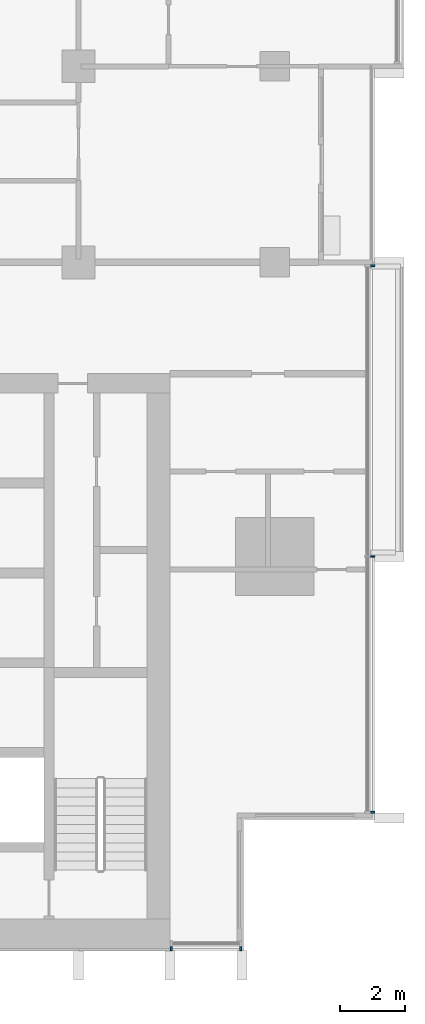
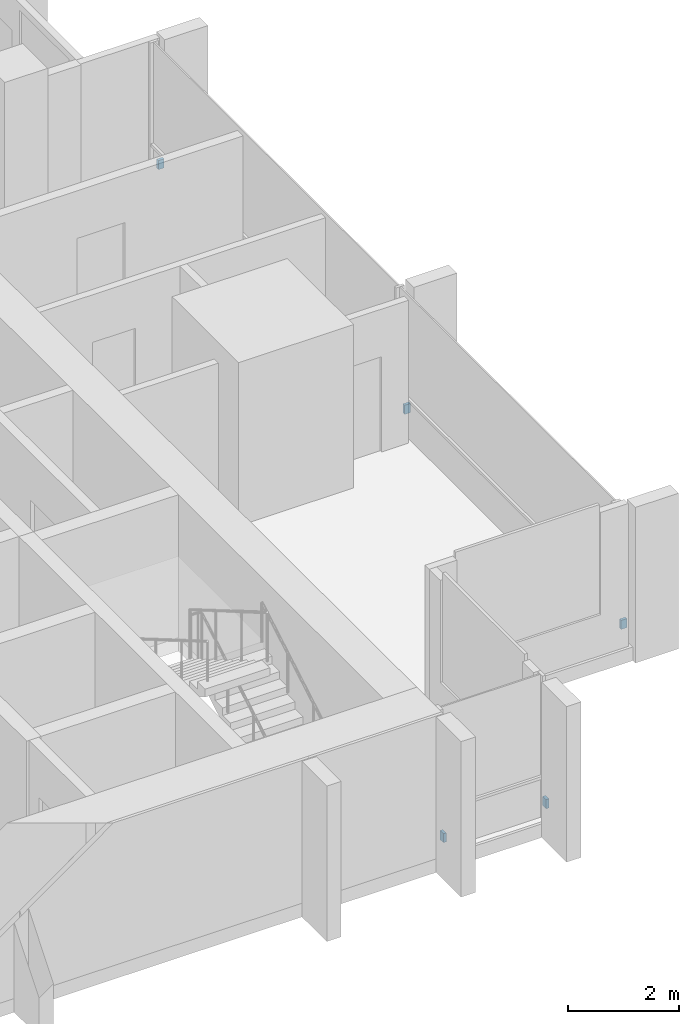
# One storey, part 14 of 17: 5 discrete accessories.
"""IFC4 building model written with IfcOpenShell, lengths in metres."""

import ifcopenshell
import ifcopenshell.guid

model = None  # the IFC model being written
_history = None  # IfcOwnerHistory: only IFC2X3 demands one
_inside = {}  # id of a spatial element -> (the spatial element, [elements in it])
_under = {}  # id of a project, library or spatial element -> (it, [spatial elements below it])
_declared = {}  # id of a project -> (the project, [libraries it declares])
_typed = {}  # id of a type object -> (the type object, [elements of that type])
_made_of = {}  # id of a material, layer set ... -> (it, [elements and type objects made of it])


def new_model(schema):
    """Start an empty IFC model of exactly this schema.

    Asked for "IFC4X3", IfcOpenShell would pick the latest addendum, in which some entities
    have other attributes; the version numbers below select the first issue.
    IFC2X3 requires an IfcOwnerHistory on every rooted entity: one is made here for all.
    """
    global model, _history
    if schema == "IFC4X3":
        model = ifcopenshell.file(schema_version=(4, 3, 0, 0))
    else:
        model = ifcopenshell.file(schema=schema)
    _inside.clear()
    _under.clear()
    _declared.clear()
    _typed.clear()
    _made_of.clear()
    _history = None
    if model.schema == "IFC2X3":
        org = make("IfcOrganization", Name="unknown")
        user = make(
            "IfcPersonAndOrganization",
            ThePerson=make("IfcPerson", FamilyName="unknown"),
            TheOrganization=org,
        )
        app = make(
            "IfcApplication",
            ApplicationDeveloper=org,
            Version="unknown",
            ApplicationFullName="unknown",
            ApplicationIdentifier="unknown",
        )
        _history = make(
            "IfcOwnerHistory",
            OwningUser=user,
            OwningApplication=app,
            ChangeAction="ADDED",
            CreationDate=0,
        )
    return model


def make(cls, **values):
    """One entity of the class cls with the attributes given. An attribute that is None is left unset."""
    return model.create_entity(
        cls, **{name: value for name, value in values.items() if value is not None}
    )


def rooted(cls, **values):
    """An entity with a GlobalId (a new one), such as an element, a storey or a relation."""
    return make(cls, GlobalId=ifcopenshell.guid.new(), OwnerHistory=_history, **values)


def si_unit(unit_type, name, prefix=None):
    """IfcSIUnit, for example si_unit("LENGTHUNIT", "METRE", prefix="MILLI")."""
    return make("IfcSIUnit", UnitType=unit_type, Prefix=prefix, Name=name)


def assignment(units):
    """IfcUnitAssignment: the units of a project."""
    return None if units is None else make("IfcUnitAssignment", Units=units)


def point(xyz):
    """IfcCartesianPoint."""
    return None if xyz is None else make("IfcCartesianPoint", Coordinates=xyz)


def direction(xyz):
    """IfcDirection."""
    return None if xyz is None else make("IfcDirection", DirectionRatios=xyz)


def frame(location, z_axis=None, x_axis=None):
    """IfcAxis2Placement3D, a coordinate frame: its origin and axes. An axis left out is left unset."""
    return make(
        "IfcAxis2Placement3D",
        Location=point(location),
        Axis=direction(z_axis),
        RefDirection=direction(x_axis),
    )


def frame_2d(location, x_axis=None):
    """IfcAxis2Placement2D, a coordinate frame in the plane: its origin and x axis."""
    return make(
        "IfcAxis2Placement2D", Location=point(location), RefDirection=direction(x_axis)
    )


def origin():
    """The frame at (0, 0, 0) with its axes left unset."""
    return frame((0.0, 0.0, 0.0))


def origin_2d():
    """The frame at (0, 0) in the plane with its x axis left unset."""
    return frame_2d((0.0, 0.0))


def place(relative_to, where):
    """IfcLocalPlacement: puts the frame where relative to a parent placement (None: the world)."""
    return make(
        "IfcLocalPlacement", PlacementRelTo=relative_to, RelativePlacement=where
    )


def context(
    kind, dimensions, precision=None, world=None, true_north=None, identifier=None
):
    """IfcGeometricRepresentationContext, for example the 3D "Model" context."""
    return make(
        "IfcGeometricRepresentationContext",
        ContextIdentifier=identifier,
        ContextType=kind,
        CoordinateSpaceDimension=dimensions,
        Precision=precision,
        WorldCoordinateSystem=world,
        TrueNorth=true_north,
    )


def subcontext(parent, identifier, kind, view, scale=None):
    """IfcGeometricRepresentationSubContext, for example "Body" below "Model"."""
    return make(
        "IfcGeometricRepresentationSubContext",
        ContextIdentifier=identifier,
        ContextType=kind,
        ParentContext=parent,
        TargetScale=scale,
        TargetView=view,
    )


def project(units=None, contexts=None):
    """IfcProject with its units and contexts."""
    return rooted(
        "IfcProject",
        Name="project",
        RepresentationContexts=contexts,
        UnitsInContext=assignment(units),
    )


def spatial(cls, under=None, at=None, **own):
    """A site, building, storey or space (cls), placed at a placement, below another one or the project."""
    s = rooted(cls, ObjectPlacement=at, **own)
    if under is not None:
        _under.setdefault(under.id(), (under, []))[1].append(s)
    return s


def profile(cls, at=None, kind="AREA", **sizes):
    """A parametric profile (cls). Its sizes go by their IFC names, for example OverallWidth=200.0."""
    return make(cls, ProfileType=kind, Position=at, **sizes)


def rectangle(**sizes):
    """IfcRectangleProfileDef."""
    return profile("IfcRectangleProfileDef", **sizes)


def extrude(swept, where, along, depth):
    """IfcExtrudedAreaSolid: the profile swept, set in the frame where, extruded along a direction by depth."""
    return make(
        "IfcExtrudedAreaSolid",
        SweptArea=swept,
        Position=where,
        ExtrudedDirection=direction(along),
        Depth=depth,
    )


def shape(context_of_items, identifier, shape_type, items):
    """IfcShapeRepresentation: the items that make up one representation, for example the "Body"."""
    return make(
        "IfcShapeRepresentation",
        ContextOfItems=context_of_items,
        RepresentationIdentifier=identifier,
        RepresentationType=shape_type,
        Items=items,
    )


def material(Name=None, Category=None):
    """IfcMaterial."""
    return make("IfcMaterial", Name=Name, Category=Category)


def made_of(thing, what):
    """Note that an element or type object is made of a material, layer set ...; save() writes the relation."""
    if what is not None:
        _made_of.setdefault(what.id(), (what, []))[1].append(thing)
    return thing


def type_object(cls, material=None, **own):
    """A type object (cls), such as IfcWallType, which elements share."""
    return made_of(rooted(cls, **own), material)


def element(
    cls,
    number,
    at=None,
    inside=None,
    cuts=None,
    type_object=None,
    material=None,
    context=None,
    identifier="Body",
    shape_type=None,
    held_by="IfcProductDefinitionShape",
    body=None,
    shapes=None,
    **own,
):
    """One element of the class cls, such as IfcWall. Its Tag is "e" and its number.

    at: its placement. inside: the storey or other place that contains it. cuts: it is an
    opening in that element (IfcRelVoidsElement). A single representation is given by context,
    identifier, shape_type and body (its items); several are given by shapes. held_by: the class
    of the entity that holds the representations. save() writes the other relations.
    """
    e = rooted(cls, Tag="e%d" % number, ObjectPlacement=at, **own)
    if body is not None:
        shapes = [shape(context, identifier, shape_type, body)]
    if shapes is not None:
        e.Representation = make(held_by, Representations=shapes)
    if inside is not None:
        _inside.setdefault(inside.id(), (inside, []))[1].append(e)
    if cuts is not None:
        rooted(
            "IfcRelVoidsElement", RelatingBuildingElement=cuts, RelatedOpeningElement=e
        )
    if type_object is not None:
        _typed.setdefault(type_object.id(), (type_object, []))[1].append(e)
    return made_of(e, material)


def aggregate(whole, parts):
    """IfcRelAggregates: a whole, such as a stair, and the parts it consists of."""
    return rooted("IfcRelAggregates", RelatingObject=whole, RelatedObjects=parts)


def save(model, path):
    """Write the relations noted so far, then the file.

    IfcRelAggregates (storeys below a building ...), IfcRelContainedInSpatialStructure (elements
    in a storey), IfcRelDefinesByType, IfcRelAssociatesMaterial and IfcRelDeclares: one each for
    every whole, place, type object, material and project.
    """
    for whole, parts in _under.values():
        aggregate(whole, parts)
    for where, things in _inside.values():
        rooted(
            "IfcRelContainedInSpatialStructure",
            RelatedElements=things,
            RelatingStructure=where,
        )
    for kind, things in _typed.values():
        rooted("IfcRelDefinesByType", RelatedObjects=things, RelatingType=kind)
    for what, things in _made_of.values():
        rooted("IfcRelAssociatesMaterial", RelatedObjects=things, RelatingMaterial=what)
    for by, libraries in _declared.values():
        rooted("IfcRelDeclares", RelatingContext=by, RelatedDefinitions=libraries)
    model.write(path)


model = new_model("IFC4")

# Units and contexts
model_context = context("Model", 3, precision=1e-05, world=origin(), true_north=direction((0.0, 1.0)))
body_context = subcontext(model_context, "Body", "Model", "MODEL_VIEW")
ifc_project = project(units=[si_unit("LENGTHUNIT", "METRE"), si_unit("AREAUNIT", "SQUARE_METRE"), si_unit("VOLUMEUNIT", "CUBIC_METRE"), si_unit("PLANEANGLEUNIT", "RADIAN"), si_unit("MASSUNIT", "GRAM", prefix="KILO")], contexts=[model_context])

# Site, building, storey
site_placement = place(None, origin())
site = spatial("IfcSite", under=ifc_project, at=site_placement, CompositionType="ELEMENT")
building_placement = place(site_placement, origin())
building = spatial("IfcBuilding", under=site, at=building_placement, Name="Finial Court Residences", CompositionType="ELEMENT")
storey_placement = place(building_placement, frame((0.0, 0.0, 196.10009765625)))
storey = spatial("IfcBuildingStorey", under=building, at=storey_placement, Name="L49", CompositionType="ELEMENT", Elevation=196.10009765625)

# Discrete accessories
ifc_material = material(Name="Stainless steel 316", Category="steel")
discrete_accessory_type = type_object("IfcDiscreteAccessoryType", Name="Fin bracket, stainless steel 60 x 122 x 200", PredefinedType="BRACKET", material=ifc_material)
for number, where, z_axis, x_axis, name in (
    (1, (19.498779296875, -21.320068359375, 0.2998046875), (0.0, 0.0, 1.0), (1.0, 0.0, 0.0), "E-L49-FIN-E7-BRK"),
    (2, (19.498779296875, -13.5, 0.2998046875), (0.0, 0.0, 1.0), (1.0, 0.0, 0.0), "E-L49-FIN-E8-BRK"),
    (3, (19.498779296875, -4.60498046875, 0.2998046875), (0.0, 0.0, 1.0), (1.0, 0.0, 0.0), "E-L49-FIN-E9-BRK"),
):
    element("IfcDiscreteAccessory", number, at=place(storey_placement, frame(where, z_axis=z_axis, x_axis=x_axis)), inside=storey, type_object=discrete_accessory_type, Name=name, PredefinedType="BRACKET", context=body_context, shape_type="SweptSolid", body=[
        extrude(rectangle(XDim=0.12255859375, YDim=0.06005859375, at=origin_2d()), origin(), (0.0, 0.0, 1.0), 0.199951171875),
    ])
for number, where, z_axis, x_axis, name in (
    (4, (13.330078125, -25.498779296875, 0.2998046875), (0.0, 0.0, 1.0), (1.0, 0.0, 0.0), "E-L49-FIN-S20-BRK"),
    (5, (15.469970703125, -25.498779296875, 0.2998046875), (0.0, 0.0, 1.0), (1.0, 0.0, 0.0), "E-L49-FIN-S21-BRK"),
):
    element("IfcDiscreteAccessory", number, at=place(storey_placement, frame(where, z_axis=z_axis, x_axis=x_axis)), inside=storey, type_object=discrete_accessory_type, Name=name, PredefinedType="BRACKET", context=body_context, shape_type="SweptSolid", body=[
        extrude(rectangle(XDim=0.06005859375, YDim=0.12255859375, at=origin_2d()), origin(), (0.0, 0.0, 1.0), 0.199951171875),
    ])

save(model, "model.ifc")
